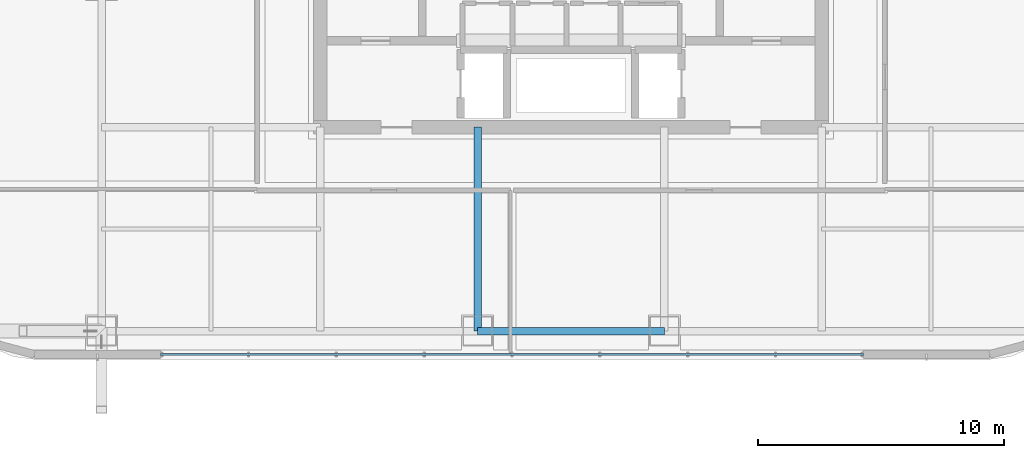
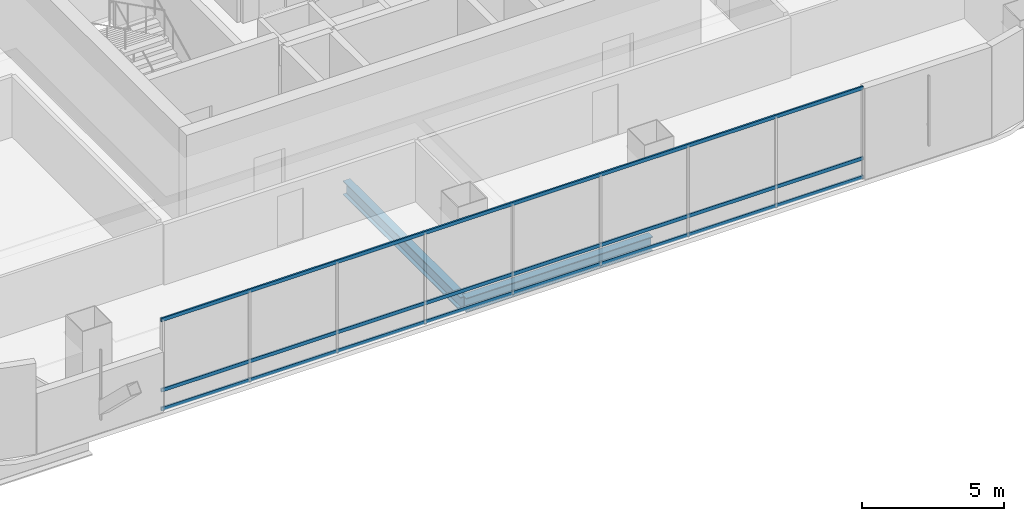
# One storey, part 7 of 51: 3 members, 2 beams, 1 element without a shape of its own.
"""IFC4 building model written with IfcOpenShell, lengths in metres."""

from ifc_helpers import new_model, si_unit, direction, frame, origin, origin_2d, place, context, subcontext, project, spatial, hollow_rectangle, i_section, extrude, material, material_profile, profile_set, type_object, element, aggregate, save


model = new_model("IFC4")

# Units and contexts
model_context = context("Model", 3, precision=1e-05, world=origin(), true_north=direction((0.0, 1.0)))
body_context = subcontext(model_context, "Body", "Model", "MODEL_VIEW")
ifc_project = project(units=[si_unit("LENGTHUNIT", "METRE"), si_unit("AREAUNIT", "SQUARE_METRE"), si_unit("VOLUMEUNIT", "CUBIC_METRE"), si_unit("PLANEANGLEUNIT", "RADIAN"), si_unit("MASSUNIT", "GRAM", prefix="KILO")], contexts=[model_context])

# Site, building, storey
site_placement = place(None, origin())
site = spatial("IfcSite", under=ifc_project, at=site_placement, CompositionType="ELEMENT")
building_placement = place(site_placement, origin())
building = spatial("IfcBuilding", under=site, at=building_placement, Name="Punatoya Terracotta Tower", CompositionType="ELEMENT")
storey_placement = place(building_placement, frame((0.0, 0.0, 313.199951171875)))
storey = spatial("IfcBuildingStorey", under=building, at=storey_placement, Name="L74", CompositionType="ELEMENT", Elevation=313.199951171875)

# Beams
ifc_material_1 = material(Name="Steel S355", Category="steel")
ifc_material_profile_1 = material_profile(ifc_material_1, i_section(OverallWidth=0.300048828125, OverallDepth=0.60009765625, WebThickness=0.015380859375, FlangeThickness=0.030029296875, FilletRadius=0.01806640625, at=origin_2d()))
ifc_profile_set_1 = profile_set([ifc_material_profile_1], Name="Steel S355")
beam_type = type_object("IfcBeamType", Name="BM-PRI-600", PredefinedType="BEAM", material=ifc_profile_set_1)
beam_1_placement = place(storey_placement, frame((-3.800048828125, -17.5, -0.5), z_axis=(1.0, 0.0, 0.0), x_axis=(0.0, 1.0, 0.0)))
element("IfcBeam", 1, at=beam_1_placement, inside=storey, type_object=beam_type, Name="BM-L74-RG-S2", PredefinedType="BEAM", context=body_context, shape_type="SweptSolid", body=[
    extrude(i_section(OverallWidth=0.300048828125, OverallDepth=0.60009765625, WebThickness=0.015380859375, FlangeThickness=0.030029296875, FilletRadius=0.01806640625, at=origin_2d()), origin(), (0.0, 0.0, 1.0), 7.60009765625),
])
beam_2_placement = place(storey_placement, frame((-3.800048828125, -17.5, -0.5), z_axis=(0.0, 1.0, 0.0), x_axis=(-1.0, 0.0, 0.0)))
element("IfcBeam", 2, at=beam_2_placement, inside=storey, type_object=beam_type, Name="BM-L74-PR-S2", PredefinedType="BEAM", context=body_context, shape_type="SweptSolid", body=[
    extrude(i_section(OverallWidth=0.300048828125, OverallDepth=0.60009765625, WebThickness=0.015380859375, FlangeThickness=0.030029296875, FilletRadius=0.01806640625, at=origin_2d()), origin(), (0.0, 0.0, 1.0), 8.300048828125),
])

# Curtain wall, members
ifc_material_2 = material(Name="Aluminium 6063-T6 + Double Low-E Glass", Category="aluminium")
curtain_wall_type = type_object("IfcCurtainWallType", Name="CW-M3", PredefinedType="NOTDEFINED", material=ifc_material_2)
curtain_wall_placement = place(storey_placement, origin())
curtain_wall = element("IfcCurtainWall", 3, at=curtain_wall_placement, inside=storey, type_object=curtain_wall_type, Name="L74 Curtain Wall CW-L74-S01-1", PredefinedType="NOTDEFINED")
ifc_material_3 = material(Name="Aluminium 6063-T6", Category="aluminium")
ifc_material_profile_2 = material_profile(ifc_material_3, hollow_rectangle(XDim=0.068115234375, YDim=0.14990234375, WallThickness=0.00390625, at=origin_2d()))
ifc_profile_set_2 = profile_set([ifc_material_profile_2], Name="Aluminium 6063-T6")
member_type = type_object("IfcMemberType", Name="CW-TRN-TYP", PredefinedType="USERDEFINED", material=ifc_profile_set_2)
member_1_placement = place(storey_placement, frame((-16.699951171875, -18.449951171875, 0.0400390625), z_axis=(1.0, 0.0, 0.0), x_axis=(0.0, 1.0, 0.0)))
member_1 = element("IfcMember", 4, at=member_1_placement, type_object=member_type, Name="CW-L74-S01-1 Transom 1", ObjectType="TRANSOM", PredefinedType="USERDEFINED", context=body_context, shape_type="SweptSolid", body=[
    extrude(hollow_rectangle(XDim=0.068115234375, YDim=0.14990234375, WallThickness=0.00390625, at=origin_2d()), origin(), (0.0, 0.0, 1.0), 28.599853515625),
])
member_2_placement = place(storey_placement, frame((-16.699951171875, -18.449951171875, 0.85009765625), z_axis=(1.0, 0.0, 0.0), x_axis=(0.0, 1.0, 0.0)))
member_2 = element("IfcMember", 5, at=member_2_placement, type_object=member_type, Name="CW-L74-S01-1 Transom 2", ObjectType="TRANSOM", PredefinedType="USERDEFINED", context=body_context, shape_type="SweptSolid", body=[
    extrude(hollow_rectangle(XDim=0.068115234375, YDim=0.14990234375, WallThickness=0.00390625, at=origin_2d()), origin(), (0.0, 0.0, 1.0), 28.599853515625),
])
member_3_placement = place(storey_placement, frame((-16.699951171875, -18.449951171875, 3.880126953125), z_axis=(1.0, 0.0, 0.0), x_axis=(0.0, 1.0, 0.0)))
member_3 = element("IfcMember", 6, at=member_3_placement, type_object=member_type, Name="CW-L74-S01-1 Transom 3", ObjectType="TRANSOM", PredefinedType="USERDEFINED", context=body_context, shape_type="SweptSolid", body=[
    extrude(hollow_rectangle(XDim=0.068115234375, YDim=0.14990234375, WallThickness=0.00390625, at=origin_2d()), origin(), (0.0, 0.0, 1.0), 28.599853515625),
])
aggregate(curtain_wall, [member_1, member_2, member_3])

save(model, "model.ifc")
